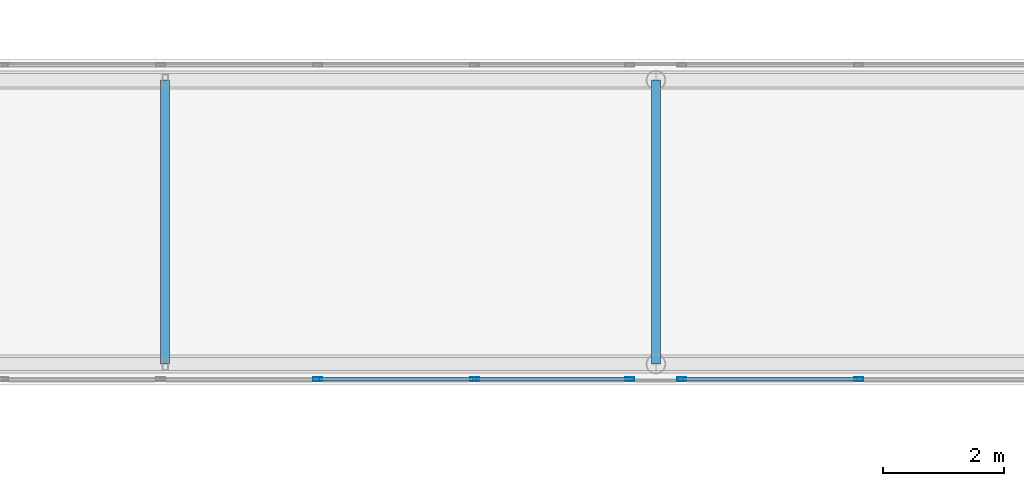
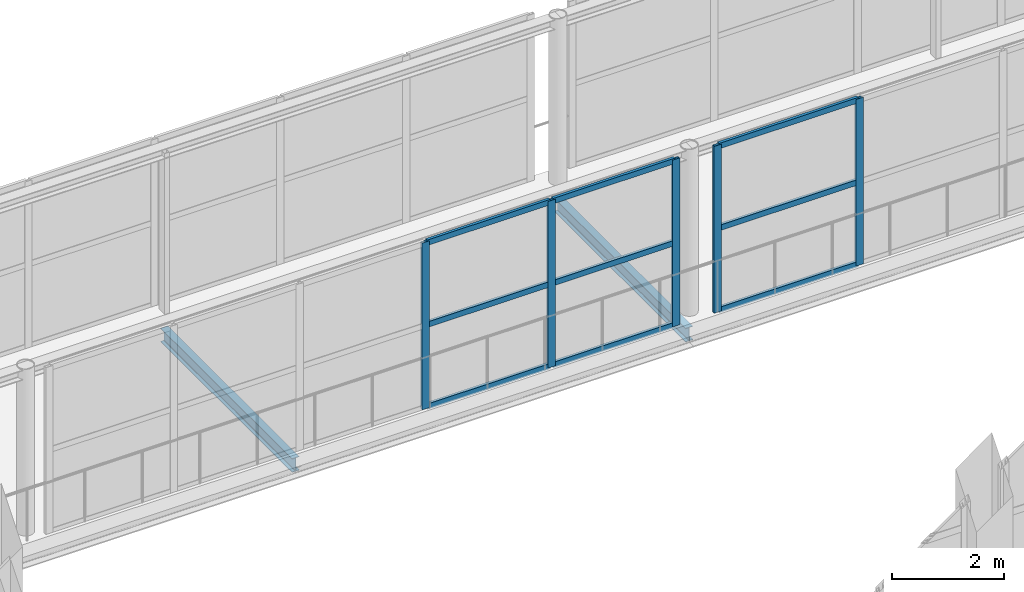
# One storey, part 46 of 175: 14 members, 2 beams, 2 elements without a shape of their own.
"""IFC4 building model written with IfcOpenShell, lengths in metres."""

from ifc_helpers import new_model, si_unit, direction, frame, origin, origin_2d, place, context, subcontext, project, spatial, hollow_rectangle, i_section, extrude, material, layer, layer_set, material_profile, profile_set, type_object, element, aggregate, save


model = new_model("IFC4")

# Units and contexts
model_context = context("Model", 3, precision=1e-05, world=origin(), true_north=direction((0.0, 1.0)))
body_context = subcontext(model_context, "Body", "Model", "MODEL_VIEW")
ifc_project = project(units=[si_unit("LENGTHUNIT", "METRE"), si_unit("AREAUNIT", "SQUARE_METRE"), si_unit("VOLUMEUNIT", "CUBIC_METRE"), si_unit("PLANEANGLEUNIT", "RADIAN"), si_unit("MASSUNIT", "GRAM", prefix="KILO")], contexts=[model_context])

# Site, building, storey
site_placement = place(None, origin())
site = spatial("IfcSite", under=ifc_project, at=site_placement, CompositionType="ELEMENT")
building_placement = place(site_placement, origin())
building = spatial("IfcBuilding", under=site, at=building_placement, Name="Zizhar Promenade General Hospital", CompositionType="ELEMENT")
storey_placement = place(building_placement, frame((0.0, 0.0, 4.800048828125)))
storey = spatial("IfcBuildingStorey", under=building, at=storey_placement, Name="L01", CompositionType="ELEMENT", Elevation=4.800048828125)

# Beams
ifc_material_1 = material(Name="Steel S355", Category="steel")
ifc_material_profile_1 = material_profile(ifc_material_1, i_section(OverallWidth=0.14990234375, OverallDepth=0.300048828125, WebThickness=0.007080078125, FlangeThickness=0.0107421875, FilletRadius=0.014892578125, at=origin_2d()))
ifc_profile_set_1 = profile_set([ifc_material_profile_1], Name="Steel S355")
beam_type = type_object("IfcBeamType", Name="BM-STL-IPE300", PredefinedType="JOIST", material=ifc_profile_set_1)
for number, where, z_axis, x_axis, name in (
    (1, (77.675048828125, 60.949951171875, -0.5), (0.0, 1.0, 0.0), (-1.0, 0.0, 0.0), "SB-1 Transverse Deck Beam 77.7"),
    (2, (85.800048828125, 60.949951171875, -0.5), (0.0, 1.0, 0.0), (-1.0, 0.0, 0.0), "SB-1 Transverse Deck Beam 85.8"),
):
    element("IfcBeam", number, at=place(storey_placement, frame(where, z_axis=z_axis, x_axis=x_axis)), inside=storey, type_object=beam_type, Name=name, PredefinedType="JOIST", context=body_context, shape_type="SweptSolid", body=[
        extrude(i_section(OverallWidth=0.14990234375, OverallDepth=0.300048828125, WebThickness=0.007080078125, FlangeThickness=0.0107421875, FilletRadius=0.014892578125, at=origin_2d()), origin(), (0.0, 0.0, 1.0), 4.699951171875),
    ])

# Curtain wall, members
ifc_material_2 = material(Name="Anodised aluminium 6063-T6 and low-E glass", Category="aluminium")
ifc_layer = layer(ifc_material_2, 0.159912109375)
ifc_layer_set = layer_set([ifc_layer], Name="Anodised aluminium 6063-T6 and low-E glass")
curtain_wall_type = type_object("IfcCurtainWallType", Name="CW-SKY-GLZ", PredefinedType="NOTDEFINED", material=ifc_layer_set)
curtain_wall_1_placement = place(storey_placement, origin())
curtain_wall_1 = element("IfcCurtainWall", 3, at=curtain_wall_1_placement, inside=storey, type_object=curtain_wall_type, Name="Courtyard Clinical Skybridge Level L01 South Glazing 1", PredefinedType="NOTDEFINED")
ifc_material_3 = material(Name="Anodised aluminium 6063-T6", Category="aluminium")
ifc_material_profile_2 = material_profile(ifc_material_3, hollow_rectangle(XDim=0.06005859375, YDim=0.14990234375, WallThickness=0.00390625, at=origin_2d()))
ifc_profile_set_2 = profile_set([ifc_material_profile_2], Name="Anodised aluminium 6063-T6")
member_type_1 = type_object("IfcMemberType", Name="CWM-ALU-150x60", PredefinedType="MULLION", material=ifc_profile_set_2)
member_1_placement = place(storey_placement, frame((85.3701171875, 60.699951171875, 0.0), z_axis=(0.0, 0.0, 1.0), x_axis=(0.0, -1.0, 0.0)))
member_1 = element("IfcMember", 4, at=member_1_placement, type_object=member_type_1, Name="CW-15 mullion 1", PredefinedType="MULLION", context=body_context, shape_type="SweptSolid", body=[
    extrude(hollow_rectangle(XDim=0.06005859375, YDim=0.14990234375, WallThickness=0.00390625, at=origin_2d()), origin(), (0.0, 0.0, 1.0), 3.639892578125),
])
member_2_placement = place(storey_placement, frame((82.800048828125, 60.699951171875, 0.0), z_axis=(0.0, 0.0, 1.0), x_axis=(0.0, -1.0, 0.0)))
member_2 = element("IfcMember", 5, at=member_2_placement, type_object=member_type_1, Name="CW-15 mullion 2", PredefinedType="MULLION", context=body_context, shape_type="SweptSolid", body=[
    extrude(hollow_rectangle(XDim=0.06005859375, YDim=0.14990234375, WallThickness=0.00390625, at=origin_2d()), origin(), (0.0, 0.0, 1.0), 3.639892578125),
])
member_3_placement = place(storey_placement, frame((80.199951171875, 60.699951171875, 0.0), z_axis=(0.0, 0.0, 1.0), x_axis=(0.0, -1.0, 0.0)))
member_3 = element("IfcMember", 6, at=member_3_placement, type_object=member_type_1, Name="CW-15 mullion 3", PredefinedType="MULLION", context=body_context, shape_type="SweptSolid", body=[
    extrude(hollow_rectangle(XDim=0.06005859375, YDim=0.14990234375, WallThickness=0.00390625, at=origin_2d()), origin(), (0.0, 0.0, 1.0), 3.639892578125),
])

curtain_wall_2_placement = place(storey_placement, origin())
curtain_wall_2 = element("IfcCurtainWall", 7, at=curtain_wall_2_placement, inside=storey, type_object=curtain_wall_type, Name="Courtyard Clinical Skybridge Level L01 South Glazing 2", PredefinedType="NOTDEFINED")
member_4_placement = place(storey_placement, frame((89.159912109375, 60.699951171875, 0.0), z_axis=(0.0, 0.0, 1.0), x_axis=(0.0, -1.0, 0.0)))
member_4 = element("IfcMember", 8, at=member_4_placement, type_object=member_type_1, Name="CW-15 mullion 5", PredefinedType="MULLION", context=body_context, shape_type="SweptSolid", body=[
    extrude(hollow_rectangle(XDim=0.06005859375, YDim=0.14990234375, WallThickness=0.00390625, at=origin_2d()), origin(), (0.0, 0.0, 1.0), 3.639892578125),
])
member_5_placement = place(storey_placement, frame((86.22998046875, 60.699951171875, 0.0), z_axis=(0.0, 0.0, 1.0), x_axis=(0.0, -1.0, 0.0)))
member_5 = element("IfcMember", 9, at=member_5_placement, type_object=member_type_1, Name="CW-15 mullion 6", PredefinedType="MULLION", context=body_context, shape_type="SweptSolid", body=[
    extrude(hollow_rectangle(XDim=0.06005859375, YDim=0.14990234375, WallThickness=0.00390625, at=origin_2d()), origin(), (0.0, 0.0, 1.0), 3.639892578125),
])

# Member
ifc_material_4 = material(Name="Anodised aluminium 6063-T6", Category="aluminium")
ifc_material_profile_3 = material_profile(ifc_material_4, hollow_rectangle(XDim=0.06005859375, YDim=0.1201171875, WallThickness=0.00390625, at=origin_2d()))
ifc_profile_set_3 = profile_set([ifc_material_profile_3], Name="Anodised aluminium 6063-T6")
member_type_2 = type_object("IfcMemberType", Name="CWT-ALU-120x60", PredefinedType="USERDEFINED", material=ifc_profile_set_3)
member_6_placement = place(storey_placement, frame((85.340087890625, 60.699951171875, 0.030029296875), z_axis=(-1.0, 0.0, 0.0), x_axis=(0.0, -1.0, 0.0)))
member_6 = element("IfcMember", 10, at=member_6_placement, type_object=member_type_2, Name="CW-15 transom 1.1", ObjectType="TRANSOM", PredefinedType="USERDEFINED", context=body_context, shape_type="SweptSolid", body=[
    extrude(hollow_rectangle(XDim=0.06005859375, YDim=0.1201171875, WallThickness=0.00390625, at=origin_2d()), origin(), (0.0, 0.0, 1.0), 2.510009765625),
])

member_7_placement = place(storey_placement, frame((85.340087890625, 60.699951171875, 1.820068359375), z_axis=(-1.0, 0.0, 0.0), x_axis=(0.0, -1.0, 0.0)))
member_7 = element("IfcMember", 11, at=member_7_placement, type_object=member_type_2, Name="CW-15 transom 1.2", ObjectType="TRANSOM", PredefinedType="USERDEFINED", context=body_context, shape_type="SweptSolid", body=[
    extrude(hollow_rectangle(XDim=0.06005859375, YDim=0.1201171875, WallThickness=0.00390625, at=origin_2d()), origin(), (0.0, 0.0, 1.0), 2.510009765625),
])

member_8_placement = place(storey_placement, frame((85.340087890625, 60.699951171875, 3.60986328125), z_axis=(-1.0, 0.0, 0.0), x_axis=(0.0, -1.0, 0.0)))
member_8 = element("IfcMember", 12, at=member_8_placement, type_object=member_type_2, Name="CW-15 transom 1.3", ObjectType="TRANSOM", PredefinedType="USERDEFINED", context=body_context, shape_type="SweptSolid", body=[
    extrude(hollow_rectangle(XDim=0.06005859375, YDim=0.1201171875, WallThickness=0.00390625, at=origin_2d()), origin(), (0.0, 0.0, 1.0), 2.510009765625),
])

member_9_placement = place(storey_placement, frame((82.77001953125, 60.699951171875, 0.030029296875), z_axis=(-1.0, 0.0, 0.0), x_axis=(0.0, -1.0, 0.0)))
member_9 = element("IfcMember", 13, at=member_9_placement, type_object=member_type_2, Name="CW-15 transom 2.1", ObjectType="TRANSOM", PredefinedType="USERDEFINED", context=body_context, shape_type="SweptSolid", body=[
    extrude(hollow_rectangle(XDim=0.06005859375, YDim=0.1201171875, WallThickness=0.00390625, at=origin_2d()), origin(), (0.0, 0.0, 1.0), 2.5400390625),
])

member_10_placement = place(storey_placement, frame((82.77001953125, 60.699951171875, 1.820068359375), z_axis=(-1.0, 0.0, 0.0), x_axis=(0.0, -1.0, 0.0)))
member_10 = element("IfcMember", 14, at=member_10_placement, type_object=member_type_2, Name="CW-15 transom 2.2", ObjectType="TRANSOM", PredefinedType="USERDEFINED", context=body_context, shape_type="SweptSolid", body=[
    extrude(hollow_rectangle(XDim=0.06005859375, YDim=0.1201171875, WallThickness=0.00390625, at=origin_2d()), origin(), (0.0, 0.0, 1.0), 2.5400390625),
])

member_11_placement = place(storey_placement, frame((82.77001953125, 60.699951171875, 3.60986328125), z_axis=(-1.0, 0.0, 0.0), x_axis=(0.0, -1.0, 0.0)))
member_11 = element("IfcMember", 15, at=member_11_placement, type_object=member_type_2, Name="CW-15 transom 2.3", ObjectType="TRANSOM", PredefinedType="USERDEFINED", context=body_context, shape_type="SweptSolid", body=[
    extrude(hollow_rectangle(XDim=0.06005859375, YDim=0.1201171875, WallThickness=0.00390625, at=origin_2d()), origin(), (0.0, 0.0, 1.0), 2.5400390625),
])

aggregate(curtain_wall_1, [member_1, member_2, member_3, member_6, member_7, member_8, member_9, member_10, member_11])

member_12_placement = place(storey_placement, frame((89.1298828125, 60.699951171875, 0.030029296875), z_axis=(-1.0, 0.0, 0.0), x_axis=(0.0, -1.0, 0.0)))
member_12 = element("IfcMember", 16, at=member_12_placement, type_object=member_type_2, Name="CW-15 transom 5.1", ObjectType="TRANSOM", PredefinedType="USERDEFINED", context=body_context, shape_type="SweptSolid", body=[
    extrude(hollow_rectangle(XDim=0.06005859375, YDim=0.1201171875, WallThickness=0.00390625, at=origin_2d()), origin(), (0.0, 0.0, 1.0), 2.869873046875),
])

member_13_placement = place(storey_placement, frame((89.1298828125, 60.699951171875, 1.820068359375), z_axis=(-1.0, 0.0, 0.0), x_axis=(0.0, -1.0, 0.0)))
member_13 = element("IfcMember", 17, at=member_13_placement, type_object=member_type_2, Name="CW-15 transom 5.2", ObjectType="TRANSOM", PredefinedType="USERDEFINED", context=body_context, shape_type="SweptSolid", body=[
    extrude(hollow_rectangle(XDim=0.06005859375, YDim=0.1201171875, WallThickness=0.00390625, at=origin_2d()), origin(), (0.0, 0.0, 1.0), 2.869873046875),
])

member_14_placement = place(storey_placement, frame((89.1298828125, 60.699951171875, 3.60986328125), z_axis=(-1.0, 0.0, 0.0), x_axis=(0.0, -1.0, 0.0)))
member_14 = element("IfcMember", 18, at=member_14_placement, type_object=member_type_2, Name="CW-15 transom 5.3", ObjectType="TRANSOM", PredefinedType="USERDEFINED", context=body_context, shape_type="SweptSolid", body=[
    extrude(hollow_rectangle(XDim=0.06005859375, YDim=0.1201171875, WallThickness=0.00390625, at=origin_2d()), origin(), (0.0, 0.0, 1.0), 2.869873046875),
])

aggregate(curtain_wall_2, [member_4, member_5, member_12, member_13, member_14])

save(model, "model.ifc")
